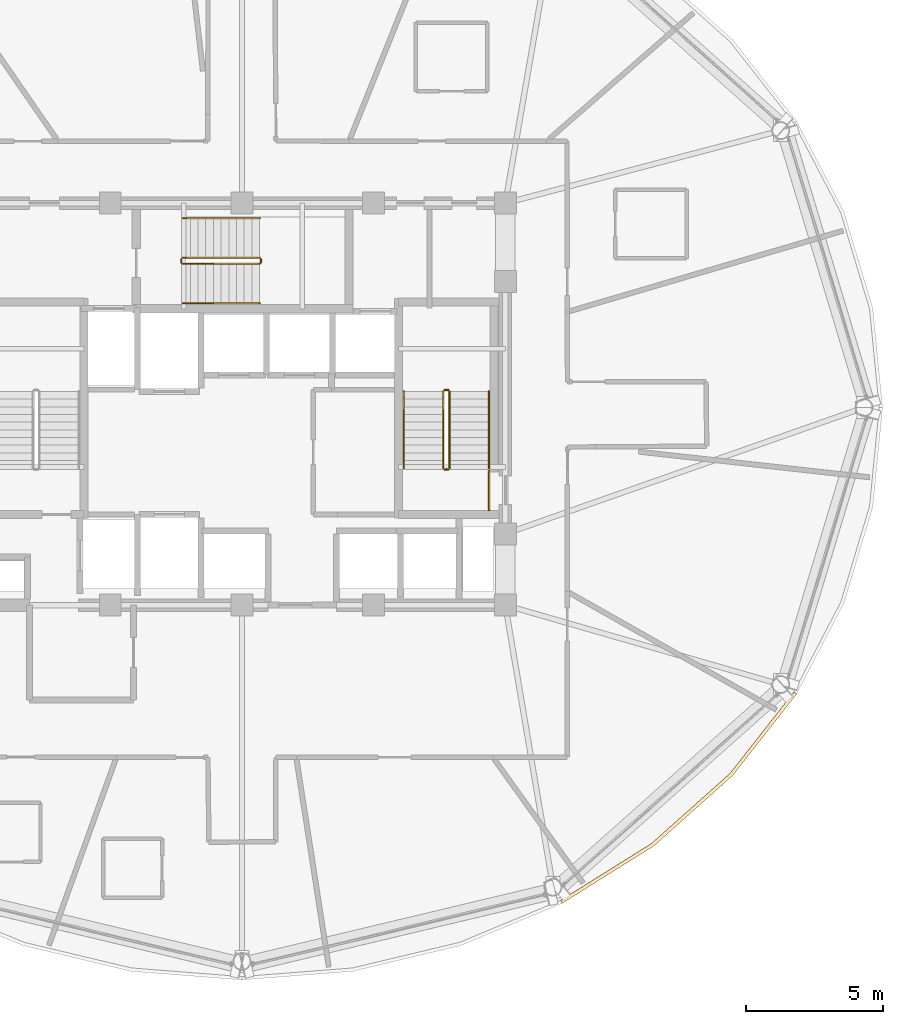
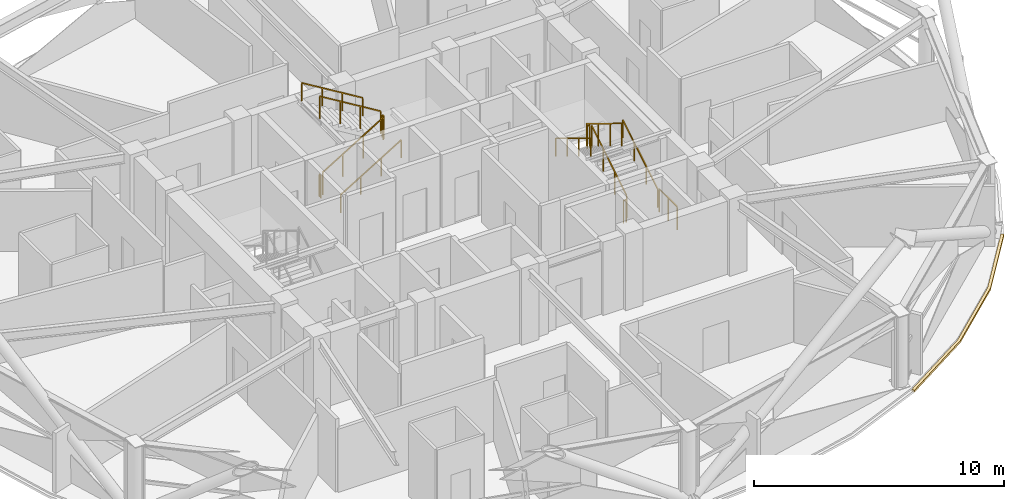
# One storey, part 29 of 30: 13 railings, 1 covering.
"""IFC4 building model written with IfcOpenShell, lengths in metres."""

import ifcopenshell
import ifcopenshell.guid

model = None  # the IFC model being written
_history = None  # IfcOwnerHistory: only IFC2X3 demands one
_inside = {}  # id of a spatial element -> (the spatial element, [elements in it])
_under = {}  # id of a project, library or spatial element -> (it, [spatial elements below it])
_declared = {}  # id of a project -> (the project, [libraries it declares])
_typed = {}  # id of a type object -> (the type object, [elements of that type])
_made_of = {}  # id of a material, layer set ... -> (it, [elements and type objects made of it])


def new_model(schema):
    """Start an empty IFC model of exactly this schema.

    Asked for "IFC4X3", IfcOpenShell would pick the latest addendum, in which some entities
    have other attributes; the version numbers below select the first issue.
    IFC2X3 requires an IfcOwnerHistory on every rooted entity: one is made here for all.
    """
    global model, _history
    if schema == "IFC4X3":
        model = ifcopenshell.file(schema_version=(4, 3, 0, 0))
    else:
        model = ifcopenshell.file(schema=schema)
    _inside.clear()
    _under.clear()
    _declared.clear()
    _typed.clear()
    _made_of.clear()
    _history = None
    if model.schema == "IFC2X3":
        org = make("IfcOrganization", Name="unknown")
        user = make(
            "IfcPersonAndOrganization",
            ThePerson=make("IfcPerson", FamilyName="unknown"),
            TheOrganization=org,
        )
        app = make(
            "IfcApplication",
            ApplicationDeveloper=org,
            Version="unknown",
            ApplicationFullName="unknown",
            ApplicationIdentifier="unknown",
        )
        _history = make(
            "IfcOwnerHistory",
            OwningUser=user,
            OwningApplication=app,
            ChangeAction="ADDED",
            CreationDate=0,
        )
    return model


def make(cls, **values):
    """One entity of the class cls with the attributes given. An attribute that is None is left unset."""
    return model.create_entity(
        cls, **{name: value for name, value in values.items() if value is not None}
    )


def rooted(cls, **values):
    """An entity with a GlobalId (a new one), such as an element, a storey or a relation."""
    return make(cls, GlobalId=ifcopenshell.guid.new(), OwnerHistory=_history, **values)


def si_unit(unit_type, name, prefix=None):
    """IfcSIUnit, for example si_unit("LENGTHUNIT", "METRE", prefix="MILLI")."""
    return make("IfcSIUnit", UnitType=unit_type, Prefix=prefix, Name=name)


def assignment(units):
    """IfcUnitAssignment: the units of a project."""
    return None if units is None else make("IfcUnitAssignment", Units=units)


def point(xyz):
    """IfcCartesianPoint."""
    return None if xyz is None else make("IfcCartesianPoint", Coordinates=xyz)


def direction(xyz):
    """IfcDirection."""
    return None if xyz is None else make("IfcDirection", DirectionRatios=xyz)


def frame(location, z_axis=None, x_axis=None):
    """IfcAxis2Placement3D, a coordinate frame: its origin and axes. An axis left out is left unset."""
    return make(
        "IfcAxis2Placement3D",
        Location=point(location),
        Axis=direction(z_axis),
        RefDirection=direction(x_axis),
    )


def frame_2d(location, x_axis=None):
    """IfcAxis2Placement2D, a coordinate frame in the plane: its origin and x axis."""
    return make(
        "IfcAxis2Placement2D", Location=point(location), RefDirection=direction(x_axis)
    )


def origin():
    """The frame at (0, 0, 0) with its axes left unset."""
    return frame((0.0, 0.0, 0.0))


def origin_2d():
    """The frame at (0, 0) in the plane with its x axis left unset."""
    return frame_2d((0.0, 0.0))


def place(relative_to, where):
    """IfcLocalPlacement: puts the frame where relative to a parent placement (None: the world)."""
    return make(
        "IfcLocalPlacement", PlacementRelTo=relative_to, RelativePlacement=where
    )


def context(
    kind, dimensions, precision=None, world=None, true_north=None, identifier=None
):
    """IfcGeometricRepresentationContext, for example the 3D "Model" context."""
    return make(
        "IfcGeometricRepresentationContext",
        ContextIdentifier=identifier,
        ContextType=kind,
        CoordinateSpaceDimension=dimensions,
        Precision=precision,
        WorldCoordinateSystem=world,
        TrueNorth=true_north,
    )


def subcontext(parent, identifier, kind, view, scale=None):
    """IfcGeometricRepresentationSubContext, for example "Body" below "Model"."""
    return make(
        "IfcGeometricRepresentationSubContext",
        ContextIdentifier=identifier,
        ContextType=kind,
        ParentContext=parent,
        TargetScale=scale,
        TargetView=view,
    )


def project(units=None, contexts=None):
    """IfcProject with its units and contexts."""
    return rooted(
        "IfcProject",
        Name="project",
        RepresentationContexts=contexts,
        UnitsInContext=assignment(units),
    )


def spatial(cls, under=None, at=None, **own):
    """A site, building, storey or space (cls), placed at a placement, below another one or the project."""
    s = rooted(cls, ObjectPlacement=at, **own)
    if under is not None:
        _under.setdefault(under.id(), (under, []))[1].append(s)
    return s


def polyline(points):
    """IfcPolyline through the points."""
    return make("IfcPolyline", Points=[point(p) for p in points])


def profile(cls, at=None, kind="AREA", **sizes):
    """A parametric profile (cls). Its sizes go by their IFC names, for example OverallWidth=200.0."""
    return make(cls, ProfileType=kind, Position=at, **sizes)


def rectangle(**sizes):
    """IfcRectangleProfileDef."""
    return profile("IfcRectangleProfileDef", **sizes)


def outline(outer, holes=None, kind="AREA"):
    """IfcArbitraryClosedProfileDef: a profile drawn as a closed curve; with holes, ...WithVoids."""
    if holes is None:
        return make("IfcArbitraryClosedProfileDef", ProfileType=kind, OuterCurve=outer)
    return make(
        "IfcArbitraryProfileDefWithVoids",
        ProfileType=kind,
        OuterCurve=outer,
        InnerCurves=holes,
    )


def extrude(swept, where, along, depth):
    """IfcExtrudedAreaSolid: the profile swept, set in the frame where, extruded along a direction by depth."""
    return make(
        "IfcExtrudedAreaSolid",
        SweptArea=swept,
        Position=where,
        ExtrudedDirection=direction(along),
        Depth=depth,
    )


def shape(context_of_items, identifier, shape_type, items):
    """IfcShapeRepresentation: the items that make up one representation, for example the "Body"."""
    return make(
        "IfcShapeRepresentation",
        ContextOfItems=context_of_items,
        RepresentationIdentifier=identifier,
        RepresentationType=shape_type,
        Items=items,
    )


def material(Name=None, Category=None):
    """IfcMaterial."""
    return make("IfcMaterial", Name=Name, Category=Category)


def layer(
    of_material, thickness, ventilated=None, Name=None, Category=None, Priority=None
):
    """IfcMaterialLayer: one layer of a wall or slab, of a material (None: an air gap)."""
    return make(
        "IfcMaterialLayer",
        Material=of_material,
        LayerThickness=thickness,
        IsVentilated=ventilated,
        Name=Name,
        Category=Category,
        Priority=Priority,
    )


def layer_set(layers, Name=None):
    """IfcMaterialLayerSet."""
    return make("IfcMaterialLayerSet", MaterialLayers=layers, LayerSetName=Name)


def made_of(thing, what):
    """Note that an element or type object is made of a material, layer set ...; save() writes the relation."""
    if what is not None:
        _made_of.setdefault(what.id(), (what, []))[1].append(thing)
    return thing


def type_object(cls, material=None, **own):
    """A type object (cls), such as IfcWallType, which elements share."""
    return made_of(rooted(cls, **own), material)


def element(
    cls,
    number,
    at=None,
    inside=None,
    cuts=None,
    type_object=None,
    material=None,
    context=None,
    identifier="Body",
    shape_type=None,
    held_by="IfcProductDefinitionShape",
    body=None,
    shapes=None,
    **own,
):
    """One element of the class cls, such as IfcWall. Its Tag is "e" and its number.

    at: its placement. inside: the storey or other place that contains it. cuts: it is an
    opening in that element (IfcRelVoidsElement). A single representation is given by context,
    identifier, shape_type and body (its items); several are given by shapes. held_by: the class
    of the entity that holds the representations. save() writes the other relations.
    """
    e = rooted(cls, Tag="e%d" % number, ObjectPlacement=at, **own)
    if body is not None:
        shapes = [shape(context, identifier, shape_type, body)]
    if shapes is not None:
        e.Representation = make(held_by, Representations=shapes)
    if inside is not None:
        _inside.setdefault(inside.id(), (inside, []))[1].append(e)
    if cuts is not None:
        rooted(
            "IfcRelVoidsElement", RelatingBuildingElement=cuts, RelatedOpeningElement=e
        )
    if type_object is not None:
        _typed.setdefault(type_object.id(), (type_object, []))[1].append(e)
    return made_of(e, material)


def aggregate(whole, parts):
    """IfcRelAggregates: a whole, such as a stair, and the parts it consists of."""
    return rooted("IfcRelAggregates", RelatingObject=whole, RelatedObjects=parts)


def save(model, path):
    """Write the relations noted so far, then the file.

    IfcRelAggregates (storeys below a building ...), IfcRelContainedInSpatialStructure (elements
    in a storey), IfcRelDefinesByType, IfcRelAssociatesMaterial and IfcRelDeclares: one each for
    every whole, place, type object, material and project.
    """
    for whole, parts in _under.values():
        aggregate(whole, parts)
    for where, things in _inside.values():
        rooted(
            "IfcRelContainedInSpatialStructure",
            RelatedElements=things,
            RelatingStructure=where,
        )
    for kind, things in _typed.values():
        rooted("IfcRelDefinesByType", RelatedObjects=things, RelatingType=kind)
    for what, things in _made_of.values():
        rooted("IfcRelAssociatesMaterial", RelatedObjects=things, RelatingMaterial=what)
    for by, libraries in _declared.values():
        rooted("IfcRelDeclares", RelatingContext=by, RelatedDefinitions=libraries)
    model.write(path)


model = new_model("IFC4")

# Units and contexts
model_context = context("Model", 3, precision=1e-05, world=origin(), true_north=direction((0.0, 1.0)))
body_context = subcontext(model_context, "Body", "Model", "MODEL_VIEW")
ifc_project = project(units=[si_unit("LENGTHUNIT", "METRE"), si_unit("AREAUNIT", "SQUARE_METRE"), si_unit("VOLUMEUNIT", "CUBIC_METRE"), si_unit("PLANEANGLEUNIT", "RADIAN"), si_unit("MASSUNIT", "GRAM", prefix="KILO")], contexts=[model_context])

# Site, building, storey
site_placement = place(None, origin())
site = spatial("IfcSite", under=ifc_project, at=site_placement, CompositionType="ELEMENT")
building_placement = place(site_placement, origin())
building = spatial("IfcBuilding", under=site, at=building_placement, Name="Vantalir Tower", CompositionType="ELEMENT")
storey_placement = place(building_placement, frame((0.0, 0.0, 189.89990234375)))
storey = spatial("IfcBuildingStorey", under=building, at=storey_placement, Name="L47", CompositionType="ELEMENT", Elevation=189.89990234375)

# Covering
ifc_material_1 = material(Name="Anodised champagne aluminium sill fascia", Category="aluminium")
ifc_layer = layer(ifc_material_1, 0.125)
ifc_layer_set = layer_set([ifc_layer], Name="Anodised champagne aluminium sill fascia")
covering_type = type_object("IfcCoveringType", Name="COV-SLAB-FASCIA-125", PredefinedType="CLADDING", material=ifc_layer_set)
covering_placement = place(storey_placement, frame((0.0, 0.0, -0.179931640625)))
element("IfcCovering", 1, at=covering_placement, inside=storey, type_object=covering_type, Name="L47 Perimeter Slab-Edge Sill Fascia 11", PredefinedType="CLADDING", context=body_context, shape_type="SweptSolid", body=[
    extrude(outline(polyline([(43.176025390625, 6.931884765625), (46.510009765625, 9.01806640625), (49.387939453125, 11.590087890625), (51.722900390625, 14.568115234375), (51.614013671875, 14.631103515625), (49.2919921875, 11.669921875), (46.428955078125, 9.114013671875), (43.113037109375, 7.0400390625), (43.176025390625, 6.931884765625)])), origin(), (0.0, 0.0, 1.0), 0.10498046875),
])

# Railings
ifc_material_2 = material(Name="Anodised aluminium and stainless steel guard", Category="steel")
railing_type_1 = type_object("IfcRailingType", Name="RAL-GUARD-1120", PredefinedType="GUARDRAIL", material=ifc_material_2)
railing_1_placement = place(storey_placement, frame((39.06005859375, 22.7900390625, 0.170654296875)))
element("IfcRailing", 2, at=railing_1_placement, inside=storey, type_object=railing_type_1, Name="L47 ST2 stair guard 1", PredefinedType="GUARDRAIL", context=body_context, shape_type="SweptSolid", body=[
    extrude(rectangle(XDim=0.048095703125, YDim=0.048095703125, at=origin_2d()), frame((0.0, 0.0, 1.09619140625), z_axis=(0.0, 0.854202870247, 0.519939858505), x_axis=(-1.0, 0.0, 0.0)), (0.0, 0.0, 1.0), 3.278076171875),
    extrude(rectangle(XDim=0.0419921875, YDim=0.0419921875, at=origin_2d()), origin(), (0.0, 0.0, 1.0), 1.072021484375),
    extrude(rectangle(XDim=0.0419921875, YDim=0.0419921875, at=origin_2d()), frame((0.0, 0.933349609375, 0.568115234375)), (0.0, 0.0, 1.0), 1.072021484375),
    extrude(rectangle(XDim=0.0419921875, YDim=0.0419921875, at=origin_2d()), frame((0.0, 1.86669921875, 1.13623046875)), (0.0, 0.0, 1.0), 1.072021484375),
    extrude(rectangle(XDim=0.0419921875, YDim=0.0419921875, at=origin_2d()), frame((0.0, 2.800048828125, 1.704345703125)), (0.0, 0.0, 1.0), 1.072021484375),
])
railing_2_placement = place(storey_placement, frame((39.010009765625, 25.639892578125, 1.875)))
element("IfcRailing", 3, at=railing_2_placement, inside=storey, type_object=railing_type_1, Name="L47 ST2 stair guard 2", PredefinedType="GUARDRAIL", context=body_context, shape_type="SweptSolid", body=[
    extrude(rectangle(XDim=0.048095703125, YDim=0.048095703125, at=origin_2d()), frame((0.0, 0.0, 1.09619140625), z_axis=(-1.0, 0.0, 0.0), x_axis=(0.0, -1.0, 0.0)), (0.0, 0.0, 1.0), 0.1201171875),
    extrude(rectangle(XDim=0.0419921875, YDim=0.0419921875, at=origin_2d()), origin(), (0.0, 0.0, 1.0), 1.072021484375),
    extrude(rectangle(XDim=0.0419921875, YDim=0.0419921875, at=origin_2d()), frame((-0.1201171875, 0.0, 0.0)), (0.0, 0.0, 1.0), 1.072021484375),
])
railing_3_placement = place(storey_placement, frame((38.840087890625, 25.590087890625, 2.045654296875)))
element("IfcRailing", 4, at=railing_3_placement, inside=storey, type_object=railing_type_1, Name="L47 ST2 stair guard 3", PredefinedType="GUARDRAIL", context=body_context, shape_type="SweptSolid", body=[
    extrude(rectangle(XDim=0.048095703125, YDim=0.048095703125, at=origin_2d()), frame((0.0, 0.0, 1.09619140625), z_axis=(0.0, -0.854202870247, 0.519939858505), x_axis=(1.0, 0.0, 0.0)), (0.0, 0.0, 1.0), 3.278076171875),
    extrude(rectangle(XDim=0.0419921875, YDim=0.0419921875, at=origin_2d()), origin(), (0.0, 0.0, 1.0), 1.072021484375),
    extrude(rectangle(XDim=0.0419921875, YDim=0.0419921875, at=origin_2d()), frame((0.0, -0.933349609375, 0.568115234375)), (0.0, 0.0, 1.0), 1.072021484375),
    extrude(rectangle(XDim=0.0419921875, YDim=0.0419921875, at=origin_2d()), frame((0.0, -1.86669921875, 1.13623046875)), (0.0, 0.0, 1.0), 1.072021484375),
    extrude(rectangle(XDim=0.0419921875, YDim=0.0419921875, at=origin_2d()), frame((0.0, -2.800048828125, 1.704345703125)), (0.0, 0.0, 1.0), 1.072021484375),
])
railing_4_placement = place(storey_placement, frame((39.010009765625, 22.739990234375, 0.0)))
element("IfcRailing", 5, at=railing_4_placement, inside=storey, type_object=railing_type_1, Name="L47 ST2 stair guard 4", PredefinedType="GUARDRAIL", context=body_context, shape_type="SweptSolid", body=[
    extrude(rectangle(XDim=0.048095703125, YDim=0.048095703125, at=origin_2d()), frame((0.0, 0.0, 1.09619140625), z_axis=(-1.0, 0.0, 0.0), x_axis=(0.0, -1.0, 0.0)), (0.0, 0.0, 1.0), 0.1201171875),
    extrude(rectangle(XDim=0.0419921875, YDim=0.0419921875, at=origin_2d()), origin(), (0.0, 0.0, 1.0), 1.072021484375),
    extrude(rectangle(XDim=0.0419921875, YDim=0.0419921875, at=origin_2d()), frame((-0.1201171875, 0.0, 0.0)), (0.0, 0.0, 1.0), 1.072021484375),
])
railing_5_placement = place(storey_placement, frame((29.340087890625, 30.239990234375, 0.170654296875)))
element("IfcRailing", 6, at=railing_5_placement, inside=storey, type_object=railing_type_1, Name="L47 ST3 stair guard 1", PredefinedType="GUARDRAIL", context=body_context, shape_type="SweptSolid", body=[
    extrude(rectangle(XDim=0.048095703125, YDim=0.048095703125, at=origin_2d()), frame((0.0, 0.0, 1.09619140625), z_axis=(0.854182733786, 0.0, 0.519972939009), x_axis=(0.0, 1.0, 0.0)), (0.0, 0.0, 1.0), 3.27783203125),
    extrude(rectangle(XDim=0.0419921875, YDim=0.0419921875, at=origin_2d()), origin(), (0.0, 0.0, 1.0), 1.072021484375),
    extrude(rectangle(XDim=0.0419921875, YDim=0.0419921875, at=origin_2d()), frame((0.933349609375, 0.0, 0.568115234375)), (0.0, 0.0, 1.0), 1.072021484375),
    extrude(rectangle(XDim=0.0419921875, YDim=0.0419921875, at=origin_2d()), frame((1.866455078125, 0.0, 1.13623046875)), (0.0, 0.0, 1.0), 1.072021484375),
    extrude(rectangle(XDim=0.0419921875, YDim=0.0419921875, at=origin_2d()), frame((2.7998046875, 0.0, 1.704345703125)), (0.0, 0.0, 1.0), 1.072021484375),
])
railing_6_placement = place(storey_placement, frame((32.18994140625, 30.2900390625, 1.875)))
element("IfcRailing", 7, at=railing_6_placement, inside=storey, type_object=railing_type_1, Name="L47 ST3 stair guard 2", PredefinedType="GUARDRAIL", context=body_context, shape_type="SweptSolid", body=[
    extrude(rectangle(XDim=0.048095703125, YDim=0.048095703125, at=origin_2d()), frame((0.0, 0.0, 1.09619140625), z_axis=(0.0, 1.0, 0.0), x_axis=(-1.0, 0.0, 0.0)), (0.0, 0.0, 1.0), 0.119873046875),
    extrude(rectangle(XDim=0.0419921875, YDim=0.0419921875, at=origin_2d()), origin(), (0.0, 0.0, 1.0), 1.072021484375),
    extrude(rectangle(XDim=0.0419921875, YDim=0.0419921875, at=origin_2d()), frame((0.0, 0.119873046875, 0.0)), (0.0, 0.0, 1.0), 1.072021484375),
])
railing_7_placement = place(storey_placement, frame((32.139892578125, 30.4599609375, 2.045654296875)))
element("IfcRailing", 8, at=railing_7_placement, inside=storey, type_object=railing_type_1, Name="L47 ST3 stair guard 3", PredefinedType="GUARDRAIL", context=body_context, shape_type="SweptSolid", body=[
    extrude(rectangle(XDim=0.048095703125, YDim=0.048095703125, at=origin_2d()), frame((0.0, 0.0, 1.09619140625), z_axis=(-0.854182733786, 0.0, 0.519972939009), x_axis=(0.0, -1.0, 0.0)), (0.0, 0.0, 1.0), 3.27783203125),
    extrude(rectangle(XDim=0.0419921875, YDim=0.0419921875, at=origin_2d()), origin(), (0.0, 0.0, 1.0), 1.072021484375),
    extrude(rectangle(XDim=0.0419921875, YDim=0.0419921875, at=origin_2d()), frame((-0.933349609375, 0.0, 0.568115234375)), (0.0, 0.0, 1.0), 1.072021484375),
    extrude(rectangle(XDim=0.0419921875, YDim=0.0419921875, at=origin_2d()), frame((-1.866455078125, 0.0, 1.13623046875)), (0.0, 0.0, 1.0), 1.072021484375),
    extrude(rectangle(XDim=0.0419921875, YDim=0.0419921875, at=origin_2d()), frame((-2.7998046875, 0.0, 1.704345703125)), (0.0, 0.0, 1.0), 1.072021484375),
])
railing_8_placement = place(storey_placement, frame((29.2900390625, 30.2900390625, 0.0)))
element("IfcRailing", 9, at=railing_8_placement, inside=storey, type_object=railing_type_1, Name="L47 ST3 stair guard 4", PredefinedType="GUARDRAIL", context=body_context, shape_type="SweptSolid", body=[
    extrude(rectangle(XDim=0.048095703125, YDim=0.048095703125, at=origin_2d()), frame((0.0, 0.0, 1.09619140625), z_axis=(0.0, 1.0, 0.0), x_axis=(-1.0, 0.0, 0.0)), (0.0, 0.0, 1.0), 0.119873046875),
    extrude(rectangle(XDim=0.0419921875, YDim=0.0419921875, at=origin_2d()), origin(), (0.0, 0.0, 1.0), 1.072021484375),
    extrude(rectangle(XDim=0.0419921875, YDim=0.0419921875, at=origin_2d()), frame((0.0, 0.119873046875, 0.0)), (0.0, 0.0, 1.0), 1.072021484375),
])
railing_9_placement = place(storey_placement, frame((40.510009765625, 21.260009765625, 0.0)))
element("IfcRailing", 10, at=railing_9_placement, inside=storey, type_object=railing_type_1, Name="L47 Stair ST2 Doorway Landing Guard", PredefinedType="GUARDRAIL", context=body_context, shape_type="SweptSolid", body=[
    extrude(rectangle(XDim=0.048095703125, YDim=0.048095703125, at=origin_2d()), frame((0.0, 0.0, 1.1259765625), z_axis=(0.0, 1.0, 0.0), x_axis=(-1.0, 0.0, 0.0)), (0.0, 0.0, 1.0), 1.43994140625),
    extrude(rectangle(XDim=0.0419921875, YDim=0.0419921875, at=origin_2d()), origin(), (0.0, 0.0, 1.0), 1.101806640625),
    extrude(rectangle(XDim=0.0419921875, YDim=0.0419921875, at=origin_2d()), frame((0.0, 0.719970703125, 0.0)), (0.0, 0.0, 1.0), 1.101806640625),
    extrude(rectangle(XDim=0.0419921875, YDim=0.0419921875, at=origin_2d()), frame((0.0, 1.43994140625, 0.0)), (0.0, 0.0, 1.0), 1.101806640625),
])
ifc_material_3 = material(Name="Brushed stainless steel tubular handrail", Category="steel")
railing_type_2 = type_object("IfcRailingType", Name="RAL-HANDRAIL-900", PredefinedType="HANDRAIL", material=ifc_material_3)
railing_10_placement = place(storey_placement, frame((40.5, 22.7900390625, 0.170654296875)))
element("IfcRailing", 11, at=railing_10_placement, inside=storey, type_object=railing_type_2, Name="L47 ST2 stair handrail 1", PredefinedType="HANDRAIL", context=body_context, shape_type="SweptSolid", body=[
    extrude(rectangle(XDim=0.048095703125, YDim=0.048095703125, at=origin_2d()), frame((0.0, 0.0, 0.8759765625), z_axis=(0.0, 0.854202870247, 0.519939858505), x_axis=(-1.0, 0.0, 0.0)), (0.0, 0.0, 1.0), 3.278076171875),
    extrude(rectangle(XDim=0.0419921875, YDim=0.0419921875, at=origin_2d()), origin(), (0.0, 0.0, 1.0), 0.851806640625),
    extrude(rectangle(XDim=0.0419921875, YDim=0.0419921875, at=origin_2d()), frame((0.0, 0.933349609375, 0.568115234375)), (0.0, 0.0, 1.0), 0.851806640625),
    extrude(rectangle(XDim=0.0419921875, YDim=0.0419921875, at=origin_2d()), frame((0.0, 1.86669921875, 1.13623046875)), (0.0, 0.0, 1.0), 0.851806640625),
    extrude(rectangle(XDim=0.0419921875, YDim=0.0419921875, at=origin_2d()), frame((0.0, 2.800048828125, 1.704345703125)), (0.0, 0.0, 1.0), 0.851806640625),
])
railing_11_placement = place(storey_placement, frame((37.39990234375, 25.590087890625, 2.045654296875)))
element("IfcRailing", 12, at=railing_11_placement, inside=storey, type_object=railing_type_2, Name="L47 ST2 stair handrail 2", PredefinedType="HANDRAIL", context=body_context, shape_type="SweptSolid", body=[
    extrude(rectangle(XDim=0.048095703125, YDim=0.048095703125, at=origin_2d()), frame((0.0, 0.0, 0.8759765625), z_axis=(0.0, -0.854202870247, 0.519939858505), x_axis=(1.0, 0.0, 0.0)), (0.0, 0.0, 1.0), 3.278076171875),
    extrude(rectangle(XDim=0.0419921875, YDim=0.0419921875, at=origin_2d()), origin(), (0.0, 0.0, 1.0), 0.851806640625),
    extrude(rectangle(XDim=0.0419921875, YDim=0.0419921875, at=origin_2d()), frame((0.0, -0.933349609375, 0.568115234375)), (0.0, 0.0, 1.0), 0.851806640625),
    extrude(rectangle(XDim=0.0419921875, YDim=0.0419921875, at=origin_2d()), frame((0.0, -1.86669921875, 1.13623046875)), (0.0, 0.0, 1.0), 0.851806640625),
    extrude(rectangle(XDim=0.0419921875, YDim=0.0419921875, at=origin_2d()), frame((0.0, -2.800048828125, 1.704345703125)), (0.0, 0.0, 1.0), 0.851806640625),
])
railing_12_placement = place(storey_placement, frame((29.340087890625, 28.800048828125, 0.170654296875)))
element("IfcRailing", 13, at=railing_12_placement, inside=storey, type_object=railing_type_2, Name="L47 ST3 stair handrail 1", PredefinedType="HANDRAIL", context=body_context, shape_type="SweptSolid", body=[
    extrude(rectangle(XDim=0.048095703125, YDim=0.048095703125, at=origin_2d()), frame((0.0, 0.0, 0.8759765625), z_axis=(0.854182733786, 0.0, 0.519972939009), x_axis=(0.0, 1.0, 0.0)), (0.0, 0.0, 1.0), 3.27783203125),
    extrude(rectangle(XDim=0.0419921875, YDim=0.0419921875, at=origin_2d()), origin(), (0.0, 0.0, 1.0), 0.851806640625),
    extrude(rectangle(XDim=0.0419921875, YDim=0.0419921875, at=origin_2d()), frame((0.933349609375, 0.0, 0.568115234375)), (0.0, 0.0, 1.0), 0.851806640625),
    extrude(rectangle(XDim=0.0419921875, YDim=0.0419921875, at=origin_2d()), frame((1.866455078125, 0.0, 1.13623046875)), (0.0, 0.0, 1.0), 0.851806640625),
    extrude(rectangle(XDim=0.0419921875, YDim=0.0419921875, at=origin_2d()), frame((2.7998046875, 0.0, 1.704345703125)), (0.0, 0.0, 1.0), 0.851806640625),
])
railing_13_placement = place(storey_placement, frame((32.139892578125, 31.89990234375, 2.045654296875)))
element("IfcRailing", 14, at=railing_13_placement, inside=storey, type_object=railing_type_2, Name="L47 ST3 stair handrail 2", PredefinedType="HANDRAIL", context=body_context, shape_type="SweptSolid", body=[
    extrude(rectangle(XDim=0.048095703125, YDim=0.048095703125, at=origin_2d()), frame((0.0, 0.0, 0.8759765625), z_axis=(-0.854182733786, 0.0, 0.519972939009), x_axis=(0.0, -1.0, 0.0)), (0.0, 0.0, 1.0), 3.27783203125),
    extrude(rectangle(XDim=0.0419921875, YDim=0.0419921875, at=origin_2d()), origin(), (0.0, 0.0, 1.0), 0.851806640625),
    extrude(rectangle(XDim=0.0419921875, YDim=0.0419921875, at=origin_2d()), frame((-0.933349609375, 0.0, 0.568115234375)), (0.0, 0.0, 1.0), 0.851806640625),
    extrude(rectangle(XDim=0.0419921875, YDim=0.0419921875, at=origin_2d()), frame((-1.866455078125, 0.0, 1.13623046875)), (0.0, 0.0, 1.0), 0.851806640625),
    extrude(rectangle(XDim=0.0419921875, YDim=0.0419921875, at=origin_2d()), frame((-2.7998046875, 0.0, 1.704345703125)), (0.0, 0.0, 1.0), 0.851806640625),
])

save(model, "model.ifc")
